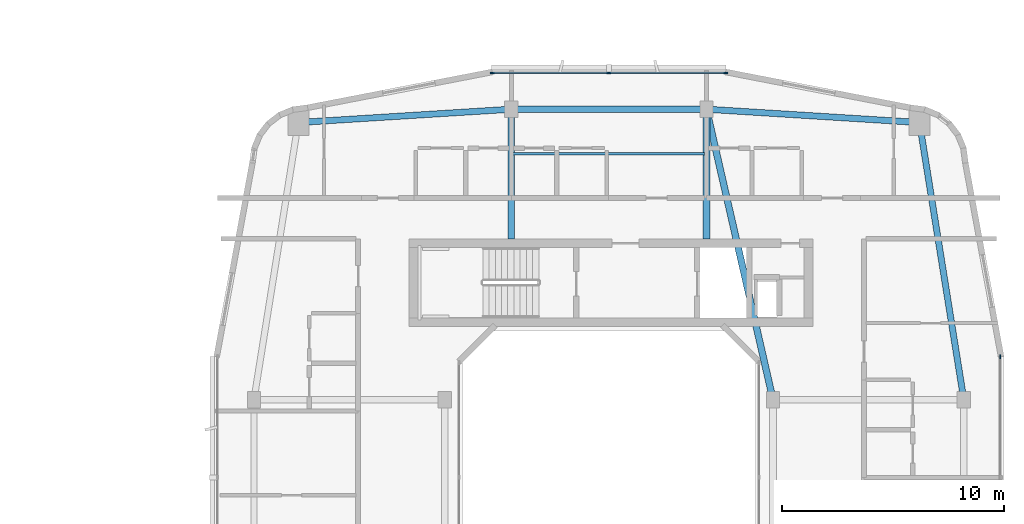
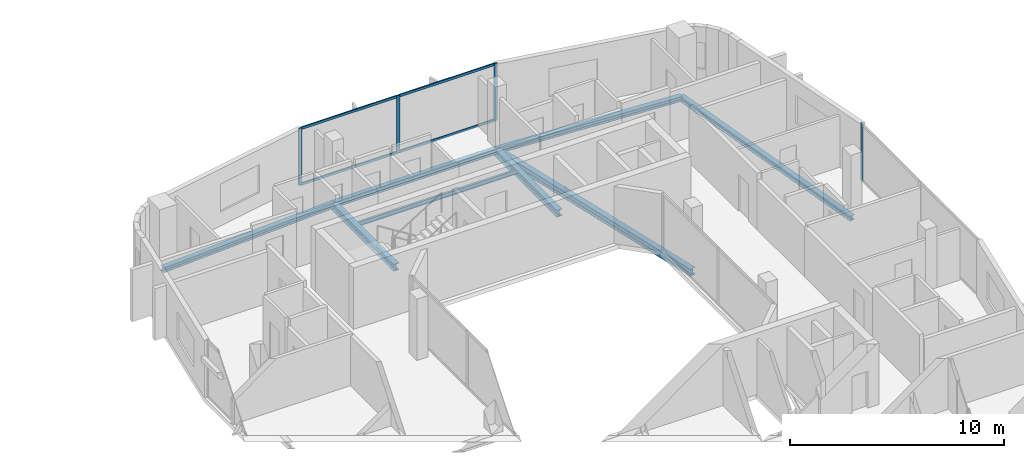
# One storey, part 10 of 26: 8 beams, 8 members, 2 elements without a shape of their own.
"""IFC4 building model written with IfcOpenShell, lengths in metres."""

from ifc_helpers import new_model, si_unit, derived_unit, direction, frame, origin, origin_2d, place, context, subcontext, project, spatial, rectangle, i_section, extrude, material, layer, layer_set, material_profile, profile_set, type_object, element, aggregate, save


model = new_model("IFC4")

# Units and contexts
model_context = context("Model", 3, precision=1e-05, world=origin(), true_north=direction((0.0, 1.0)))
body_context = subcontext(model_context, "Body", "Model", "MODEL_VIEW")
ifc_project = project(units=[si_unit("LENGTHUNIT", "METRE"), si_unit("AREAUNIT", "SQUARE_METRE"), si_unit("VOLUMEUNIT", "CUBIC_METRE"), si_unit("PLANEANGLEUNIT", "RADIAN"), si_unit("MASSUNIT", "GRAM", prefix="KILO"), derived_unit("THERMALTRANSMITTANCEUNIT", [(si_unit("POWERUNIT", "WATT"), 1), (si_unit("LENGTHUNIT", "METRE"), -2), (si_unit("THERMODYNAMICTEMPERATUREUNIT", "KELVIN"), -1)])], contexts=[model_context])

# Site, building, storey
site_placement = place(None, origin())
site = spatial("IfcSite", under=ifc_project, at=site_placement, CompositionType="ELEMENT")
building_placement = place(site_placement, origin())
building = spatial("IfcBuilding", under=site, at=building_placement, Name="Kivonza Crest Hotel", CompositionType="ELEMENT")
storey_placement = place(building_placement, frame((0.0, 0.0, 102.0)))
storey = spatial("IfcBuildingStorey", under=building, at=storey_placement, Name="L27", CompositionType="ELEMENT", Elevation=102.0)

# Beams
ifc_material_1 = material(Name="Steel S355", Category="steel")
ifc_material_profile_1 = material_profile(ifc_material_1, i_section(OverallWidth=0.280029296875, OverallDepth=0.280029296875, WebThickness=0.010498046875, FlangeThickness=0.01806640625, FilletRadius=0.02392578125, at=origin_2d()), Name="HEB 280")
ifc_profile_set_1 = profile_set([ifc_material_profile_1], Name="Steel S355")
beam_type_1 = type_object("IfcBeamType", Name="BM-HEB280", PredefinedType="SPANDREL", material=ifc_profile_set_1)
beam_1_placement = place(storey_placement, frame((93.0, 28.5, -0.389892578125), z_axis=(-0.157990501107, 0.987440631917, 0.0), x_axis=(-0.987440631917, -0.157990501107, 0.0)))
element("IfcBeam", 1, at=beam_1_placement, inside=storey, type_object=beam_type_1, Name="Companion Tower T2 L27 perimeter spandrel E2-NE", PredefinedType="SPANDREL", context=body_context, shape_type="SweptSolid", body=[
    extrude(i_section(OverallWidth=0.280029296875, OverallDepth=0.280029296875, WebThickness=0.010498046875, FlangeThickness=0.01806640625, FilletRadius=0.02392578125, at=origin_2d()), origin(), (0.0, 0.0, 1.0), 12.658935546875),
])
beam_2_placement = place(storey_placement, frame((91.0, 41.0, -0.389892578125), z_axis=(-0.998051985873, 0.062387767186, 0.0), x_axis=(-0.062387767186, -0.998051985873, 0.0)))
element("IfcBeam", 2, at=beam_2_placement, inside=storey, type_object=beam_type_1, Name="Companion Tower T2 L27 perimeter spandrel NE-N2", PredefinedType="SPANDREL", context=body_context, shape_type="SweptSolid", body=[
    extrude(i_section(OverallWidth=0.280029296875, OverallDepth=0.280029296875, WebThickness=0.010498046875, FlangeThickness=0.01806640625, FilletRadius=0.02392578125, at=origin_2d()), origin(), (0.0, 0.0, 1.0), 9.618896484375),
])
beam_3_placement = place(storey_placement, frame((81.39990234375, 41.60009765625, -0.389892578125), z_axis=(-1.0, 0.0, 0.0), x_axis=(0.0, -1.0, 0.0)))
element("IfcBeam", 3, at=beam_3_placement, inside=storey, type_object=beam_type_1, Name="Companion Tower T2 L27 perimeter spandrel N2-N1", PredefinedType="SPANDREL", context=body_context, shape_type="SweptSolid", body=[
    extrude(i_section(OverallWidth=0.280029296875, OverallDepth=0.280029296875, WebThickness=0.010498046875, FlangeThickness=0.01806640625, FilletRadius=0.02392578125, at=origin_2d()), origin(), (0.0, 0.0, 1.0), 8.7998046875),
])
beam_4_placement = place(storey_placement, frame((72.60009765625, 41.60009765625, -0.389892578125), z_axis=(-0.998051985873, -0.062387767186, 0.0), x_axis=(0.062387767186, -0.998051985873, 0.0)))
element("IfcBeam", 4, at=beam_4_placement, inside=storey, type_object=beam_type_1, Name="Companion Tower T2 L27 perimeter spandrel N1-NW", PredefinedType="SPANDREL", context=body_context, shape_type="SweptSolid", body=[
    extrude(i_section(OverallWidth=0.280029296875, OverallDepth=0.280029296875, WebThickness=0.010498046875, FlangeThickness=0.01806640625, FilletRadius=0.02392578125, at=origin_2d()), origin(), (0.0, 0.0, 1.0), 9.618896484375),
])
ifc_material_profile_2 = material_profile(ifc_material_1, i_section(OverallWidth=0.300048828125, OverallDepth=0.39990234375, WebThickness=0.013427734375, FlangeThickness=0.02392578125, FilletRadius=0.027099609375, at=origin_2d()), Name="HEB 400")
ifc_profile_set_2 = profile_set([ifc_material_profile_2], Name="Steel S355")
beam_type_2 = type_object("IfcBeamType", Name="BM-HEB400", PredefinedType="BEAM", material=ifc_profile_set_2)
beam_5_placement = place(storey_placement, frame((84.39990234375, 28.5, -0.449951171875), z_axis=(-0.223227287589, 0.974766422317, 0.0), x_axis=(-0.974766422317, -0.223227287589, 0.0)))
element("IfcBeam", 5, at=beam_5_placement, inside=storey, type_object=beam_type_2, Name="Companion Tower T2 L27 girder WR2-N2", PredefinedType="BEAM", context=body_context, shape_type="SweptSolid", body=[
    extrude(i_section(OverallWidth=0.300048828125, OverallDepth=0.39990234375, WebThickness=0.013427734375, FlangeThickness=0.02392578125, FilletRadius=0.027099609375, at=origin_2d()), origin(), (0.0, 0.0, 1.0), 13.439208984375),
])
for number, where, z_axis, x_axis, name in (
    (6, (72.60009765625, 41.60009765625, -0.449951171875), (0.0, -1.0, 0.0), (1.0, 0.0, 0.0), "Companion T2 L27 radial core girder RN1"),
    (7, (81.39990234375, 41.60009765625, -0.449951171875), (0.0, -1.0, 0.0), (1.0, 0.0, 0.0), "Companion T2 L27 radial core girder RN2"),
):
    element("IfcBeam", number, at=place(storey_placement, frame(where, z_axis=z_axis, x_axis=x_axis)), inside=storey, type_object=beam_type_2, Name=name, PredefinedType="BEAM", context=body_context, shape_type="SweptSolid", body=[
        extrude(i_section(OverallWidth=0.300048828125, OverallDepth=0.39990234375, WebThickness=0.013427734375, FlangeThickness=0.02392578125, FilletRadius=0.027099609375, at=origin_2d()), origin(), (0.0, 0.0, 1.0), 5.85009765625),
    ])
ifc_material_profile_3 = material_profile(ifc_material_1, i_section(OverallWidth=0.1201171875, OverallDepth=0.239990234375, WebThickness=0.006103515625, FlangeThickness=0.009765625, FilletRadius=0.014892578125, at=origin_2d()), Name="IPE 240")
ifc_profile_set_3 = profile_set([ifc_material_profile_3], Name="Steel S355")
beam_type_3 = type_object("IfcBeamType", Name="BM-IPE240", PredefinedType="JOIST", material=ifc_profile_set_3)
beam_6_placement = place(storey_placement, frame((72.679931640625, 39.60009765625, -0.3701171875), z_axis=(1.0, 0.0, 0.0), x_axis=(0.0, 1.0, 0.0)))
element("IfcBeam", 8, at=beam_6_placement, inside=storey, type_object=beam_type_3, Name="Companion Tower T2 L27 North floor joist", PredefinedType="JOIST", context=body_context, shape_type="SweptSolid", body=[
    extrude(i_section(OverallWidth=0.1201171875, OverallDepth=0.239990234375, WebThickness=0.006103515625, FlangeThickness=0.009765625, FilletRadius=0.014892578125, at=origin_2d()), origin(), (0.0, 0.0, 1.0), 8.64013671875),
])

# Curtain wall, member
ifc_material_2 = material(Name="Anodised bronze aluminium and low-E double glazing", Category="aluminium")
ifc_layer = layer(ifc_material_2, 0.179931640625)
ifc_layer_set = layer_set([ifc_layer], Name="Anodised bronze aluminium and low-E double glazing")
curtain_wall_type = type_object("IfcCurtainWallType", Name="CW-SYS-4", PredefinedType="NOTDEFINED", material=ifc_layer_set)
curtain_wall_1_placement = place(storey_placement, origin())
curtain_wall_1 = element("IfcCurtainWall", 9, at=curtain_wall_1_placement, inside=storey, type_object=curtain_wall_type, Name="L27 unitised curtain wall CW-T2-L27-17", PredefinedType="NOTDEFINED")
ifc_material_3 = material(Name="Anodised bronze aluminium", Category="aluminium")
ifc_material_profile_4 = material_profile(ifc_material_3, rectangle(XDim=0.06494140625, YDim=0.179931640625, at=origin_2d()), Name="CW-M 65x180")
ifc_profile_set_4 = profile_set([ifc_material_profile_4], Name="Anodised bronze aluminium")
member_type_1 = type_object("IfcMemberType", Name="CW-MUL-65x180", PredefinedType="MULLION", material=ifc_profile_set_4)
member_1_placement = place(storey_placement, frame((94.639892578125, 30.447509765625, 0.0), z_axis=(0.0, 0.0, 1.0), x_axis=(-1.0, 0.0, 0.0)))
member_1 = element("IfcMember", 10, at=member_1_placement, type_object=member_type_1, Name="CW-4 mullion 3", PredefinedType="MULLION", context=body_context, shape_type="SweptSolid", body=[
    extrude(rectangle(XDim=0.06494140625, YDim=0.179931640625, at=origin_2d()), origin(), (0.0, 0.0, 1.0), 3.25),
])
aggregate(curtain_wall_1, [member_1])

# Curtain wall, members
curtain_wall_2_placement = place(storey_placement, origin())
curtain_wall_2 = element("IfcCurtainWall", 11, at=curtain_wall_2_placement, inside=storey, type_object=curtain_wall_type, Name="L27 unitised curtain wall CW-T2-L27-26", PredefinedType="NOTDEFINED")
member_2_placement = place(storey_placement, frame((82.267578125, 43.239990234375, 0.0), z_axis=(0.0, 0.0, 1.0), x_axis=(0.0, -1.0, 0.0)))
member_2 = element("IfcMember", 12, at=member_2_placement, type_object=member_type_1, Name="CW-4 mullion 1", PredefinedType="MULLION", context=body_context, shape_type="SweptSolid", body=[
    extrude(rectangle(XDim=0.06494140625, YDim=0.179931640625, at=origin_2d()), origin(), (0.0, 0.0, 1.0), 3.25),
])
member_3_placement = place(storey_placement, frame((77.0, 43.239990234375, 0.0), z_axis=(0.0, 0.0, 1.0), x_axis=(0.0, -1.0, 0.0)))
member_3 = element("IfcMember", 13, at=member_3_placement, type_object=member_type_1, Name="CW-4 mullion 2", PredefinedType="MULLION", context=body_context, shape_type="SweptSolid", body=[
    extrude(rectangle(XDim=0.06494140625, YDim=0.179931640625, at=origin_2d()), origin(), (0.0, 0.0, 1.0), 3.25),
])
member_4_placement = place(storey_placement, frame((71.732421875, 43.239990234375, 0.0), z_axis=(0.0, 0.0, 1.0), x_axis=(0.0, -1.0, 0.0)))
member_4 = element("IfcMember", 14, at=member_4_placement, type_object=member_type_1, Name="CW-4 mullion 3", PredefinedType="MULLION", context=body_context, shape_type="SweptSolid", body=[
    extrude(rectangle(XDim=0.06494140625, YDim=0.179931640625, at=origin_2d()), origin(), (0.0, 0.0, 1.0), 3.25),
])
ifc_material_profile_5 = material_profile(ifc_material_3, rectangle(XDim=0.06494140625, YDim=0.139892578125, at=origin_2d()), Name="CW-T 65x140")
ifc_profile_set_5 = profile_set([ifc_material_profile_5], Name="Anodised bronze aluminium")
member_type_2 = type_object("IfcMemberType", Name="CW-TRN-65x140", PredefinedType="USERDEFINED", material=ifc_profile_set_5)
member_5_placement = place(storey_placement, frame((82.235107421875, 43.239990234375, 0.032470703125), z_axis=(-1.0, 0.0, 0.0), x_axis=(0.0, -1.0, 0.0)))
member_5 = element("IfcMember", 15, at=member_5_placement, type_object=member_type_2, Name="CW-4 transom 1.1", ObjectType="TRANSOM", PredefinedType="USERDEFINED", context=body_context, shape_type="SweptSolid", body=[
    extrude(rectangle(XDim=0.06494140625, YDim=0.139892578125, at=origin_2d()), origin(), (0.0, 0.0, 1.0), 5.20263671875),
])
member_6_placement = place(storey_placement, frame((82.235107421875, 43.239990234375, 3.217529296875), z_axis=(-1.0, 0.0, 0.0), x_axis=(0.0, -1.0, 0.0)))
member_6 = element("IfcMember", 16, at=member_6_placement, type_object=member_type_2, Name="CW-4 transom 1.2", ObjectType="TRANSOM", PredefinedType="USERDEFINED", context=body_context, shape_type="SweptSolid", body=[
    extrude(rectangle(XDim=0.06494140625, YDim=0.139892578125, at=origin_2d()), origin(), (0.0, 0.0, 1.0), 5.20263671875),
])
member_7_placement = place(storey_placement, frame((76.967529296875, 43.239990234375, 0.032470703125), z_axis=(-1.0, 0.0, 0.0), x_axis=(0.0, -1.0, 0.0)))
member_7 = element("IfcMember", 17, at=member_7_placement, type_object=member_type_2, Name="CW-4 transom 2.1", ObjectType="TRANSOM", PredefinedType="USERDEFINED", context=body_context, shape_type="SweptSolid", body=[
    extrude(rectangle(XDim=0.06494140625, YDim=0.139892578125, at=origin_2d()), origin(), (0.0, 0.0, 1.0), 5.20263671875),
])
member_8_placement = place(storey_placement, frame((76.967529296875, 43.239990234375, 3.217529296875), z_axis=(-1.0, 0.0, 0.0), x_axis=(0.0, -1.0, 0.0)))
member_8 = element("IfcMember", 18, at=member_8_placement, type_object=member_type_2, Name="CW-4 transom 2.2", ObjectType="TRANSOM", PredefinedType="USERDEFINED", context=body_context, shape_type="SweptSolid", body=[
    extrude(rectangle(XDim=0.06494140625, YDim=0.139892578125, at=origin_2d()), origin(), (0.0, 0.0, 1.0), 5.20263671875),
])
aggregate(curtain_wall_2, [member_2, member_3, member_4, member_5, member_6, member_7, member_8])

save(model, "model.ifc")
